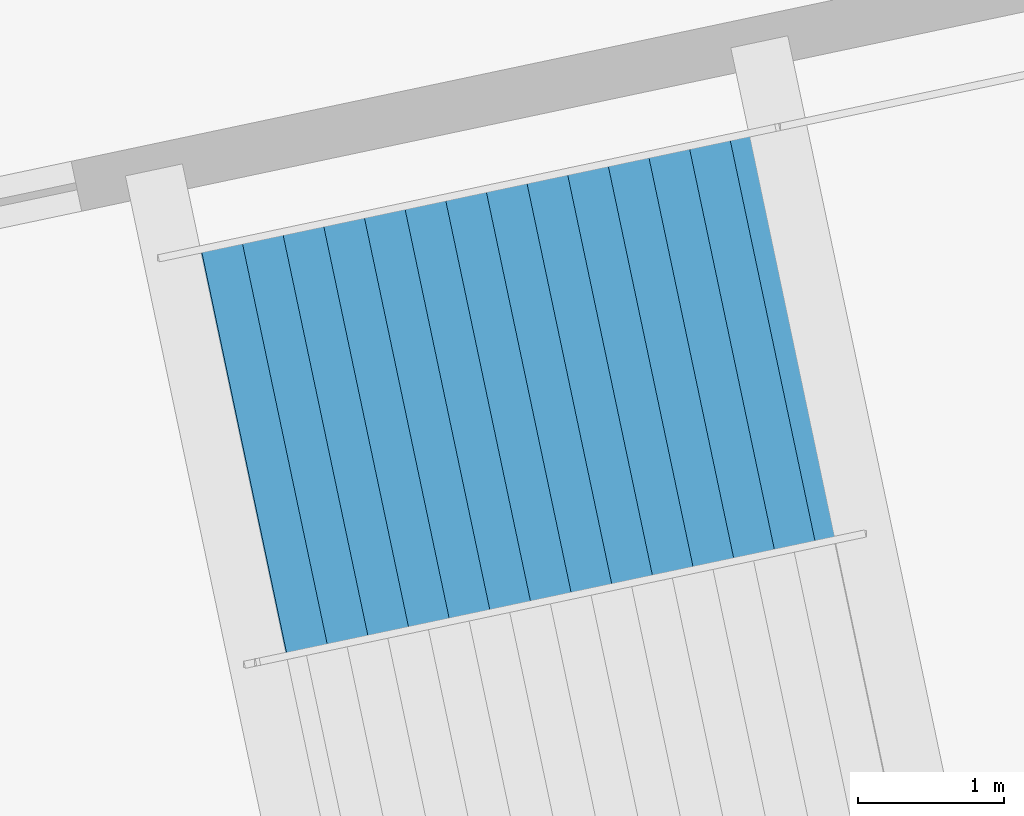
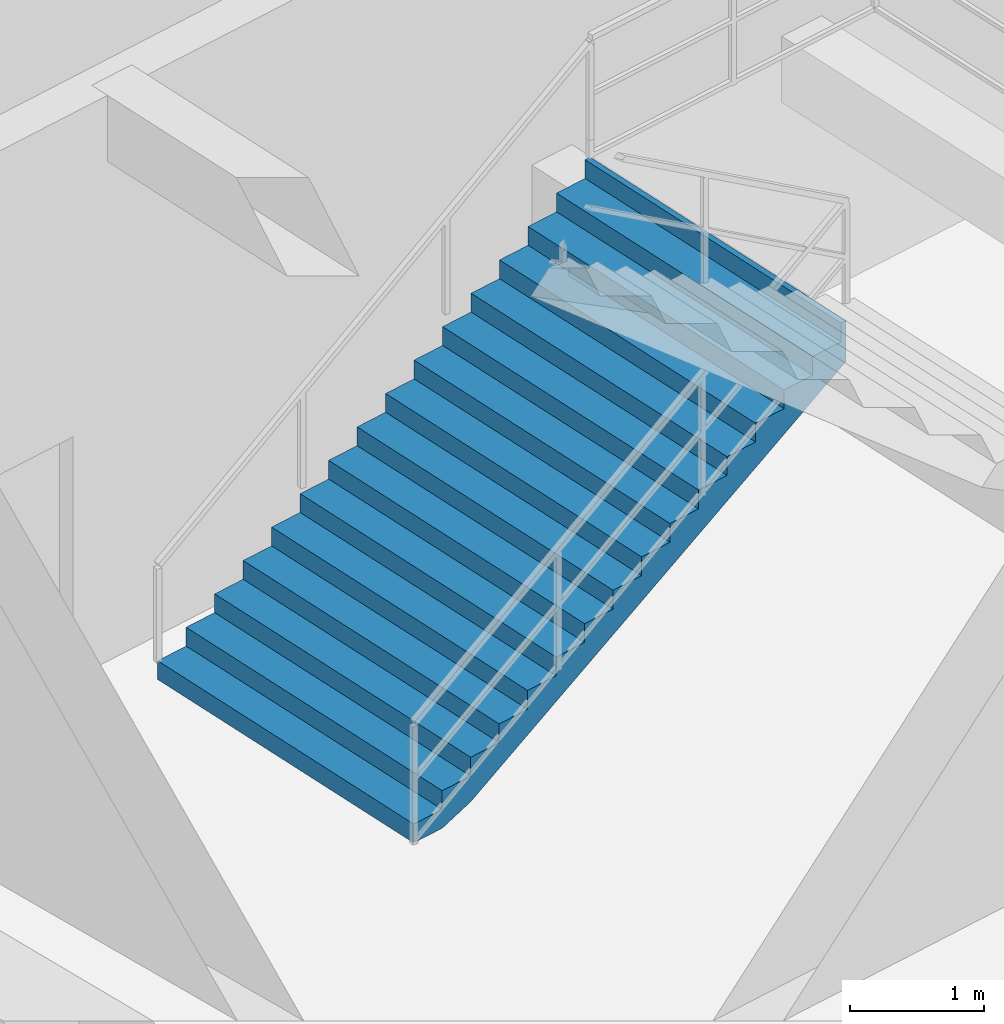
# One storey, part 26 of 49: 1 stair flight, 1 element without a shape of its own.
"""IFC4 building model written with IfcOpenShell, lengths in metres."""

from ifc_helpers import new_model, si_unit, direction, frame, origin, place, context, subcontext, project, spatial, polygons, material, type_object, element, aggregate, save


model = new_model("IFC4")

# Units and contexts
model_context = context("Model", 3, precision=1e-05, world=origin(), true_north=direction((0.0, 1.0)))
body_context = subcontext(model_context, "Body", "Model", "MODEL_VIEW")
ifc_project = project(units=[si_unit("LENGTHUNIT", "METRE"), si_unit("AREAUNIT", "SQUARE_METRE"), si_unit("VOLUMEUNIT", "CUBIC_METRE"), si_unit("PLANEANGLEUNIT", "RADIAN"), si_unit("MASSUNIT", "GRAM", prefix="KILO")], contexts=[model_context])

# Site, building, storey
site_placement = place(None, origin())
site = spatial("IfcSite", under=ifc_project, at=site_placement, CompositionType="ELEMENT")
building_placement = place(site_placement, origin())
building = spatial("IfcBuilding", under=site, at=building_placement, Name="Kazemori Nagisa Stadium", CompositionType="ELEMENT")
storey_placement = place(building_placement, frame((0.0, 0.0, -5.43994140625)))
storey = spatial("IfcBuildingStorey", under=building, at=storey_placement, Name="B1", CompositionType="ELEMENT", Elevation=-5.43994140625)

# Stair, stair flight
ifc_material = material(Name="Concrete C36/45 (Fc36)", Category="concrete")
stair_type = type_object("IfcStairType", Name="Stair_CORE_32", PredefinedType="TWO_STRAIGHT_RUN_STAIR", material=ifc_material)
stair_placement = place(storey_placement, origin())
stair = element("IfcStair", 1, at=stair_placement, inside=storey, type_object=stair_type, Name="Exit stair ST06 B1", PredefinedType="TWO_STRAIGHT_RUN_STAIR")
stair_flight_type = type_object("IfcStairFlightType", Name="Flight_CORE_16", PredefinedType="STRAIGHT", material=ifc_material)
stair_flight_placement = place(storey_placement, frame((145.99365234375, 24.9423828125, 0.0), z_axis=(0.0, 0.0, 1.0), x_axis=(0.978336581214, 0.207020612159, 0.0)))
stair_flight = element("IfcStairFlight", 2, at=stair_flight_placement, type_object=stair_flight_type, Name="Exit stair ST06 B1 flight 1", NumberOfRisers=16, NumberOfTreads=15, PredefinedType="STRAIGHT", RiserHeight=0.17, TreadLength=0.285, context=body_context, shape_type="Tessellation", body=[
    polygons([(0.0, -1.425048828125, 0.0), (0.0, -1.425048828125, 0.169921875), (0.284912109375, -1.425048828125, 0.169921875), (0.284912109375, -1.425048828125, 0.340087890625), (0.570068359375, -1.425048828125, 0.340087890625), (0.570068359375, -1.425048828125, 0.510009765625), (0.85498046875, -1.425048828125, 0.510009765625), (0.85498046875, -1.425048828125, 0.679931640625), (1.139892578125, -1.425048828125, 0.679931640625), (1.139892578125, -1.425048828125, 0.85009765625), (1.425048828125, -1.425048828125, 0.85009765625), (1.425048828125, -1.425048828125, 1.02001953125), (1.7099609375, -1.425048828125, 1.02001953125), (1.7099609375, -1.425048828125, 1.18994140625), (1.9951171875, -1.425048828125, 1.18994140625), (1.9951171875, -1.425048828125, 1.360107421875), (2.280029296875, -1.425048828125, 1.360107421875), (2.280029296875, -1.425048828125, 1.530029296875), (2.56494140625, -1.425048828125, 1.530029296875), (2.56494140625, -1.425048828125, 1.699951171875), (2.85009765625, -1.425048828125, 1.699951171875), (2.85009765625, -1.425048828125, 1.8701171875), (3.135009765625, -1.425048828125, 1.8701171875), (3.135009765625, -1.425048828125, 2.0400390625), (3.419921875, -1.425048828125, 2.0400390625), (3.419921875, -1.425048828125, 2.2099609375), (3.705078125, -1.425048828125, 2.2099609375), (3.705078125, -1.425048828125, 2.3798828125), (3.989990234375, -1.425048828125, 2.3798828125), (3.989990234375, -1.425048828125, 2.550048828125), (4.27490234375, -1.425048828125, 2.550048828125), (4.27490234375, -1.425048828125, 2.719970703125), (4.324951171875, -1.425048828125, 2.719970703125), (4.324951171875, -1.425048828125, 2.346923828125), (4.27490234375, -1.425048828125, 2.317138671875), (3.989990234375, -1.425048828125, 2.147216796875), (3.705078125, -1.425048828125, 1.977294921875), (3.419921875, -1.425048828125, 1.80712890625), (3.135009765625, -1.425048828125, 1.63720703125), (2.85009765625, -1.425048828125, 1.46728515625), (2.56494140625, -1.425048828125, 1.297119140625), (2.280029296875, -1.425048828125, 1.127197265625), (1.9951171875, -1.425048828125, 0.957275390625), (1.7099609375, -1.425048828125, 0.787109375), (1.425048828125, -1.425048828125, 0.6171875), (1.139892578125, -1.425048828125, 0.447265625), (0.85498046875, -1.425048828125, 0.277099609375), (0.570068359375, -1.425048828125, 0.107177734375), (0.284912109375, -1.425048828125, 0.0), (0.0, -0.08544921875, 0.0), (0.0, -0.08544921875, 0.169921875), (0.284912109375, -0.08544921875, 0.169921875), (0.284912109375, -0.08544921875, 0.340087890625), (0.570068359375, -0.08544921875, 0.340087890625), (0.570068359375, -0.08544921875, 0.510009765625), (0.85498046875, -0.08544921875, 0.510009765625), (0.85498046875, -0.08544921875, 0.679931640625), (1.139892578125, -0.08544921875, 0.679931640625), (1.139892578125, -0.08544921875, 0.85009765625), (1.425048828125, -0.08544921875, 0.85009765625), (1.425048828125, -0.08544921875, 1.02001953125), (1.7099609375, -0.08544921875, 1.02001953125), (1.7099609375, -0.08544921875, 1.18994140625), (1.9951171875, -0.08544921875, 1.18994140625), (1.9951171875, -0.08544921875, 1.360107421875), (2.280029296875, -0.08544921875, 1.360107421875), (2.280029296875, -0.08544921875, 1.530029296875), (2.56494140625, -0.08544921875, 1.530029296875), (2.56494140625, -0.08544921875, 1.699951171875), (2.85009765625, -0.08544921875, 1.699951171875), (2.85009765625, -0.08544921875, 1.8701171875), (3.135009765625, -0.08544921875, 1.8701171875), (3.135009765625, -0.08544921875, 2.0400390625), (3.419921875, -0.08544921875, 2.0400390625), (3.419921875, -0.08544921875, 2.2099609375), (3.705078125, -0.08544921875, 2.2099609375), (3.705078125, -0.08544921875, 2.3798828125), (3.989990234375, -0.08544921875, 2.3798828125), (3.989990234375, -0.08544921875, 2.550048828125), (4.27490234375, -0.08544921875, 2.550048828125), (4.27490234375, -0.08544921875, 2.719970703125), (4.324951171875, -0.08544921875, 2.719970703125), (4.324951171875, -0.08544921875, 2.346923828125), (4.27490234375, -0.08544921875, 2.317138671875), (3.989990234375, -0.08544921875, 2.147216796875), (3.705078125, -0.08544921875, 1.977294921875), (3.419921875, -0.08544921875, 1.80712890625), (3.135009765625, -0.08544921875, 1.63720703125), (2.85009765625, -0.08544921875, 1.46728515625), (2.56494140625, -0.08544921875, 1.297119140625), (2.280029296875, -0.08544921875, 1.127197265625), (1.9951171875, -0.08544921875, 0.957275390625), (1.7099609375, -0.08544921875, 0.787109375), (1.425048828125, -0.08544921875, 0.6171875), (1.139892578125, -0.08544921875, 0.447265625), (0.85498046875, -0.08544921875, 0.277099609375), (0.570068359375, -0.08544921875, 0.107177734375), (0.284912109375, -0.08544921875, 0.0), (0.0, 0.0, 0.0), (0.0, 0.0, 0.169921875), (0.284912109375, 0.0, 0.169921875), (0.284912109375, 0.0, 0.340087890625), (0.570068359375, 0.0, 0.340087890625), (0.570068359375, 0.0, 0.510009765625), (0.85498046875, 0.0, 0.510009765625), (0.85498046875, 0.0, 0.679931640625), (1.139892578125, 0.0, 0.679931640625), (1.139892578125, 0.0, 0.85009765625), (1.425048828125, 0.0, 0.85009765625), (1.425048828125, 0.0, 1.02001953125), (1.7099609375, 0.0, 1.02001953125), (1.7099609375, 0.0, 1.18994140625), (1.9951171875, 0.0, 1.18994140625), (1.9951171875, 0.0, 1.360107421875), (2.280029296875, 0.0, 1.360107421875), (2.280029296875, 0.0, 1.530029296875), (2.56494140625, 0.0, 1.530029296875), (2.56494140625, 0.0, 1.699951171875), (2.85009765625, 0.0, 1.699951171875), (2.85009765625, 0.0, 1.8701171875), (3.135009765625, 0.0, 1.8701171875), (3.135009765625, 0.0, 2.0400390625), (3.419921875, 0.0, 2.0400390625), (3.419921875, 0.0, 2.2099609375), (3.705078125, 0.0, 2.2099609375), (3.705078125, 0.0, 2.3798828125), (3.989990234375, 0.0, 2.3798828125), (3.989990234375, 0.0, 2.550048828125), (4.27490234375, 0.0, 2.550048828125), (4.27490234375, 0.0, 2.719970703125), (4.324951171875, 0.0, 2.719970703125), (4.324951171875, 0.0, 2.346923828125), (4.27490234375, 0.0, 2.317138671875), (3.989990234375, 0.0, 2.147216796875), (3.705078125, 0.0, 1.977294921875), (3.419921875, 0.0, 1.80712890625), (3.135009765625, 0.0, 1.63720703125), (2.85009765625, 0.0, 1.46728515625), (2.56494140625, 0.0, 1.297119140625), (2.280029296875, 0.0, 1.127197265625), (1.9951171875, 0.0, 0.957275390625), (1.7099609375, 0.0, 0.787109375), (1.425048828125, 0.0, 0.6171875), (1.139892578125, 0.0, 0.447265625), (0.85498046875, 0.0, 0.277099609375), (0.570068359375, 0.0, 0.107177734375), (0.284912109375, 0.0, 0.0), (0.0, 0.08544921875, 0.0), (0.0, 0.08544921875, 0.169921875), (0.284912109375, 0.08544921875, 0.169921875), (0.284912109375, 0.08544921875, 0.340087890625), (0.570068359375, 0.08544921875, 0.340087890625), (0.570068359375, 0.08544921875, 0.510009765625), (0.85498046875, 0.08544921875, 0.510009765625), (0.85498046875, 0.08544921875, 0.679931640625), (1.139892578125, 0.08544921875, 0.679931640625), (1.139892578125, 0.08544921875, 0.85009765625), (1.425048828125, 0.08544921875, 0.85009765625), (1.425048828125, 0.08544921875, 1.02001953125), (1.7099609375, 0.08544921875, 1.02001953125), (1.7099609375, 0.08544921875, 1.18994140625), (1.9951171875, 0.08544921875, 1.18994140625), (1.9951171875, 0.08544921875, 1.360107421875), (2.280029296875, 0.08544921875, 1.360107421875), (2.280029296875, 0.08544921875, 1.530029296875), (2.56494140625, 0.08544921875, 1.530029296875), (2.56494140625, 0.08544921875, 1.699951171875), (2.85009765625, 0.08544921875, 1.699951171875), (2.85009765625, 0.08544921875, 1.8701171875), (3.135009765625, 0.08544921875, 1.8701171875), (3.135009765625, 0.08544921875, 2.0400390625), (3.419921875, 0.08544921875, 2.0400390625), (3.419921875, 0.08544921875, 2.2099609375), (3.705078125, 0.08544921875, 2.2099609375), (3.705078125, 0.08544921875, 2.3798828125), (3.989990234375, 0.08544921875, 2.3798828125), (3.989990234375, 0.08544921875, 2.550048828125), (4.27490234375, 0.08544921875, 2.550048828125), (4.27490234375, 0.08544921875, 2.719970703125), (4.324951171875, 0.08544921875, 2.719970703125), (4.324951171875, 0.08544921875, 2.346923828125), (4.27490234375, 0.08544921875, 2.317138671875), (3.989990234375, 0.08544921875, 2.147216796875), (3.705078125, 0.08544921875, 1.977294921875), (3.419921875, 0.08544921875, 1.80712890625), (3.135009765625, 0.08544921875, 1.63720703125), (2.85009765625, 0.08544921875, 1.46728515625), (2.56494140625, 0.08544921875, 1.297119140625), (2.280029296875, 0.08544921875, 1.127197265625), (1.9951171875, 0.08544921875, 0.957275390625), (1.7099609375, 0.08544921875, 0.787109375), (1.425048828125, 0.08544921875, 0.6171875), (1.139892578125, 0.08544921875, 0.447265625), (0.85498046875, 0.08544921875, 0.277099609375), (0.570068359375, 0.08544921875, 0.107177734375), (0.284912109375, 0.08544921875, 0.0), (0.0, 1.425048828125, 0.0), (0.0, 1.425048828125, 0.169921875), (0.284912109375, 1.425048828125, 0.169921875), (0.284912109375, 1.425048828125, 0.340087890625), (0.570068359375, 1.425048828125, 0.340087890625), (0.570068359375, 1.425048828125, 0.510009765625), (0.85498046875, 1.425048828125, 0.510009765625), (0.85498046875, 1.425048828125, 0.679931640625), (1.139892578125, 1.425048828125, 0.679931640625), (1.139892578125, 1.425048828125, 0.85009765625), (1.425048828125, 1.425048828125, 0.85009765625), (1.425048828125, 1.425048828125, 1.02001953125), (1.7099609375, 1.425048828125, 1.02001953125), (1.7099609375, 1.425048828125, 1.18994140625), (1.9951171875, 1.425048828125, 1.18994140625), (1.9951171875, 1.425048828125, 1.360107421875), (2.280029296875, 1.425048828125, 1.360107421875), (2.280029296875, 1.425048828125, 1.530029296875), (2.56494140625, 1.425048828125, 1.530029296875), (2.56494140625, 1.425048828125, 1.699951171875), (2.85009765625, 1.425048828125, 1.699951171875), (2.85009765625, 1.425048828125, 1.8701171875), (3.135009765625, 1.425048828125, 1.8701171875), (3.135009765625, 1.425048828125, 2.0400390625), (3.419921875, 1.425048828125, 2.0400390625), (3.419921875, 1.425048828125, 2.2099609375), (3.705078125, 1.425048828125, 2.2099609375), (3.705078125, 1.425048828125, 2.3798828125), (3.989990234375, 1.425048828125, 2.3798828125), (3.989990234375, 1.425048828125, 2.550048828125), (4.27490234375, 1.425048828125, 2.550048828125), (4.27490234375, 1.425048828125, 2.719970703125), (4.324951171875, 1.425048828125, 2.719970703125), (4.324951171875, 1.425048828125, 2.346923828125), (4.27490234375, 1.425048828125, 2.317138671875), (3.989990234375, 1.425048828125, 2.147216796875), (3.705078125, 1.425048828125, 1.977294921875), (3.419921875, 1.425048828125, 1.80712890625), (3.135009765625, 1.425048828125, 1.63720703125), (2.85009765625, 1.425048828125, 1.46728515625), (2.56494140625, 1.425048828125, 1.297119140625), (2.280029296875, 1.425048828125, 1.127197265625), (1.9951171875, 1.425048828125, 0.957275390625), (1.7099609375, 1.425048828125, 0.787109375), (1.425048828125, 1.425048828125, 0.6171875), (1.139892578125, 1.425048828125, 0.447265625), (0.85498046875, 1.425048828125, 0.277099609375), (0.570068359375, 1.425048828125, 0.107177734375), (0.284912109375, 1.425048828125, 0.0)], [[[1, 2, 51]], [[1, 51, 50]], [[2, 3, 52]], [[2, 52, 51]], [[3, 4, 53]], [[3, 53, 52]], [[4, 5, 54]], [[4, 54, 53]], [[5, 6, 55]], [[5, 55, 54]], [[6, 7, 56]], [[6, 56, 55]], [[7, 8, 57]], [[7, 57, 56]], [[8, 9, 58]], [[8, 58, 57]], [[9, 10, 59]], [[9, 59, 58]], [[10, 11, 60]], [[10, 60, 59]], [[11, 12, 61]], [[11, 61, 60]], [[12, 13, 62]], [[12, 62, 61]], [[13, 14, 63]], [[13, 63, 62]], [[14, 15, 64]], [[14, 64, 63]], [[15, 16, 65]], [[15, 65, 64]], [[16, 17, 66]], [[16, 66, 65]], [[17, 18, 67]], [[17, 67, 66]], [[18, 19, 68]], [[18, 68, 67]], [[19, 20, 69]], [[19, 69, 68]], [[20, 21, 70]], [[20, 70, 69]], [[21, 22, 71]], [[21, 71, 70]], [[22, 23, 72]], [[22, 72, 71]], [[23, 24, 73]], [[23, 73, 72]], [[24, 25, 74]], [[24, 74, 73]], [[25, 26, 75]], [[25, 75, 74]], [[26, 27, 76]], [[26, 76, 75]], [[27, 28, 77]], [[27, 77, 76]], [[28, 29, 78]], [[28, 78, 77]], [[29, 30, 79]], [[29, 79, 78]], [[30, 31, 80]], [[30, 80, 79]], [[31, 32, 81]], [[31, 81, 80]], [[32, 33, 82]], [[32, 82, 81]], [[33, 34, 83]], [[33, 83, 82]], [[34, 35, 84]], [[34, 84, 83]], [[35, 36, 85]], [[35, 85, 84]], [[36, 37, 86]], [[36, 86, 85]], [[37, 38, 87]], [[37, 87, 86]], [[38, 39, 88]], [[38, 88, 87]], [[39, 40, 89]], [[39, 89, 88]], [[40, 41, 90]], [[40, 90, 89]], [[41, 42, 91]], [[41, 91, 90]], [[42, 43, 92]], [[42, 92, 91]], [[43, 44, 93]], [[43, 93, 92]], [[44, 45, 94]], [[44, 94, 93]], [[45, 46, 95]], [[45, 95, 94]], [[46, 47, 96]], [[46, 96, 95]], [[47, 48, 97]], [[47, 97, 96]], [[48, 49, 98]], [[48, 98, 97]], [[49, 1, 50]], [[49, 50, 98]], [[50, 51, 100]], [[50, 100, 99]], [[51, 52, 101]], [[51, 101, 100]], [[52, 53, 102]], [[52, 102, 101]], [[53, 54, 103]], [[53, 103, 102]], [[54, 55, 104]], [[54, 104, 103]], [[55, 56, 105]], [[55, 105, 104]], [[56, 57, 106]], [[56, 106, 105]], [[57, 58, 107]], [[57, 107, 106]], [[58, 59, 108]], [[58, 108, 107]], [[59, 60, 109]], [[59, 109, 108]], [[60, 61, 110]], [[60, 110, 109]], [[61, 62, 111]], [[61, 111, 110]], [[62, 63, 112]], [[62, 112, 111]], [[63, 64, 113]], [[63, 113, 112]], [[64, 65, 114]], [[64, 114, 113]], [[65, 66, 115]], [[65, 115, 114]], [[66, 67, 116]], [[66, 116, 115]], [[67, 68, 117]], [[67, 117, 116]], [[68, 69, 118]], [[68, 118, 117]], [[69, 70, 119]], [[69, 119, 118]], [[70, 71, 120]], [[70, 120, 119]], [[71, 72, 121]], [[71, 121, 120]], [[72, 73, 122]], [[72, 122, 121]], [[73, 74, 123]], [[73, 123, 122]], [[74, 75, 124]], [[74, 124, 123]], [[75, 76, 125]], [[75, 125, 124]], [[76, 77, 126]], [[76, 126, 125]], [[77, 78, 127]], [[77, 127, 126]], [[78, 79, 128]], [[78, 128, 127]], [[79, 80, 129]], [[79, 129, 128]], [[80, 81, 130]], [[80, 130, 129]], [[81, 82, 131]], [[81, 131, 130]], [[82, 83, 132]], [[82, 132, 131]], [[83, 84, 133]], [[83, 133, 132]], [[84, 85, 134]], [[84, 134, 133]], [[85, 86, 135]], [[85, 135, 134]], [[86, 87, 136]], [[86, 136, 135]], [[87, 88, 137]], [[87, 137, 136]], [[88, 89, 138]], [[88, 138, 137]], [[89, 90, 139]], [[89, 139, 138]], [[90, 91, 140]], [[90, 140, 139]], [[91, 92, 141]], [[91, 141, 140]], [[92, 93, 142]], [[92, 142, 141]], [[93, 94, 143]], [[93, 143, 142]], [[94, 95, 144]], [[94, 144, 143]], [[95, 96, 145]], [[95, 145, 144]], [[96, 97, 146]], [[96, 146, 145]], [[97, 98, 147]], [[97, 147, 146]], [[98, 50, 99]], [[98, 99, 147]], [[99, 100, 149]], [[99, 149, 148]], [[100, 101, 150]], [[100, 150, 149]], [[101, 102, 151]], [[101, 151, 150]], [[102, 103, 152]], [[102, 152, 151]], [[103, 104, 153]], [[103, 153, 152]], [[104, 105, 154]], [[104, 154, 153]], [[105, 106, 155]], [[105, 155, 154]], [[106, 107, 156]], [[106, 156, 155]], [[107, 108, 157]], [[107, 157, 156]], [[108, 109, 158]], [[108, 158, 157]], [[109, 110, 159]], [[109, 159, 158]], [[110, 111, 160]], [[110, 160, 159]], [[111, 112, 161]], [[111, 161, 160]], [[112, 113, 162]], [[112, 162, 161]], [[113, 114, 163]], [[113, 163, 162]], [[114, 115, 164]], [[114, 164, 163]], [[115, 116, 165]], [[115, 165, 164]], [[116, 117, 166]], [[116, 166, 165]], [[117, 118, 167]], [[117, 167, 166]], [[118, 119, 168]], [[118, 168, 167]], [[119, 120, 169]], [[119, 169, 168]], [[120, 121, 170]], [[120, 170, 169]], [[121, 122, 171]], [[121, 171, 170]], [[122, 123, 172]], [[122, 172, 171]], [[123, 124, 173]], [[123, 173, 172]], [[124, 125, 174]], [[124, 174, 173]], [[125, 126, 175]], [[125, 175, 174]], [[126, 127, 176]], [[126, 176, 175]], [[127, 128, 177]], [[127, 177, 176]], [[128, 129, 178]], [[128, 178, 177]], [[129, 130, 179]], [[129, 179, 178]], [[130, 131, 180]], [[130, 180, 179]], [[131, 132, 181]], [[131, 181, 180]], [[132, 133, 182]], [[132, 182, 181]], [[133, 134, 183]], [[133, 183, 182]], [[134, 135, 184]], [[134, 184, 183]], [[135, 136, 185]], [[135, 185, 184]], [[136, 137, 186]], [[136, 186, 185]], [[137, 138, 187]], [[137, 187, 186]], [[138, 139, 188]], [[138, 188, 187]], [[139, 140, 189]], [[139, 189, 188]], [[140, 141, 190]], [[140, 190, 189]], [[141, 142, 191]], [[141, 191, 190]], [[142, 143, 192]], [[142, 192, 191]], [[143, 144, 193]], [[143, 193, 192]], [[144, 145, 194]], [[144, 194, 193]], [[145, 146, 195]], [[145, 195, 194]], [[146, 147, 196]], [[146, 196, 195]], [[147, 99, 148]], [[147, 148, 196]], [[148, 149, 198]], [[148, 198, 197]], [[149, 150, 199]], [[149, 199, 198]], [[150, 151, 200]], [[150, 200, 199]], [[151, 152, 201]], [[151, 201, 200]], [[152, 153, 202]], [[152, 202, 201]], [[153, 154, 203]], [[153, 203, 202]], [[154, 155, 204]], [[154, 204, 203]], [[155, 156, 205]], [[155, 205, 204]], [[156, 157, 206]], [[156, 206, 205]], [[157, 158, 207]], [[157, 207, 206]], [[158, 159, 208]], [[158, 208, 207]], [[159, 160, 209]], [[159, 209, 208]], [[160, 161, 210]], [[160, 210, 209]], [[161, 162, 211]], [[161, 211, 210]], [[162, 163, 212]], [[162, 212, 211]], [[163, 164, 213]], [[163, 213, 212]], [[164, 165, 214]], [[164, 214, 213]], [[165, 166, 215]], [[165, 215, 214]], [[166, 167, 216]], [[166, 216, 215]], [[167, 168, 217]], [[167, 217, 216]], [[168, 169, 218]], [[168, 218, 217]], [[169, 170, 219]], [[169, 219, 218]], [[170, 171, 220]], [[170, 220, 219]], [[171, 172, 221]], [[171, 221, 220]], [[172, 173, 222]], [[172, 222, 221]], [[173, 174, 223]], [[173, 223, 222]], [[174, 175, 224]], [[174, 224, 223]], [[175, 176, 225]], [[175, 225, 224]], [[176, 177, 226]], [[176, 226, 225]], [[177, 178, 227]], [[177, 227, 226]], [[178, 179, 228]], [[178, 228, 227]], [[179, 180, 229]], [[179, 229, 228]], [[180, 181, 230]], [[180, 230, 229]], [[181, 182, 231]], [[181, 231, 230]], [[182, 183, 232]], [[182, 232, 231]], [[183, 184, 233]], [[183, 233, 232]], [[184, 185, 234]], [[184, 234, 233]], [[185, 186, 235]], [[185, 235, 234]], [[186, 187, 236]], [[186, 236, 235]], [[187, 188, 237]], [[187, 237, 236]], [[188, 189, 238]], [[188, 238, 237]], [[189, 190, 239]], [[189, 239, 238]], [[190, 191, 240]], [[190, 240, 239]], [[191, 192, 241]], [[191, 241, 240]], [[192, 193, 242]], [[192, 242, 241]], [[193, 194, 243]], [[193, 243, 242]], [[194, 195, 244]], [[194, 244, 243]], [[195, 196, 245]], [[195, 245, 244]], [[196, 148, 197]], [[196, 197, 245]], [[3, 2, 1]], [[197, 198, 199]], [[49, 3, 1]], [[197, 199, 245]], [[48, 3, 49]], [[245, 199, 244]], [[5, 3, 48]], [[244, 199, 201]], [[5, 4, 3]], [[199, 200, 201]], [[47, 5, 48]], [[244, 201, 243]], [[7, 5, 47]], [[243, 201, 203]], [[7, 6, 5]], [[201, 202, 203]], [[46, 7, 47]], [[243, 203, 242]], [[9, 7, 46]], [[242, 203, 205]], [[9, 8, 7]], [[203, 204, 205]], [[45, 9, 46]], [[242, 205, 241]], [[11, 9, 45]], [[241, 205, 207]], [[11, 10, 9]], [[205, 206, 207]], [[44, 11, 45]], [[241, 207, 240]], [[13, 11, 44]], [[240, 207, 209]], [[13, 12, 11]], [[207, 208, 209]], [[43, 13, 44]], [[240, 209, 239]], [[15, 13, 43]], [[239, 209, 211]], [[15, 14, 13]], [[209, 210, 211]], [[42, 15, 43]], [[239, 211, 238]], [[17, 15, 42]], [[238, 211, 213]], [[17, 16, 15]], [[211, 212, 213]], [[41, 17, 42]], [[238, 213, 237]], [[19, 17, 41]], [[237, 213, 215]], [[19, 18, 17]], [[213, 214, 215]], [[40, 19, 41]], [[237, 215, 236]], [[21, 19, 40]], [[236, 215, 217]], [[21, 20, 19]], [[215, 216, 217]], [[39, 21, 40]], [[236, 217, 235]], [[23, 21, 39]], [[235, 217, 219]], [[23, 22, 21]], [[217, 218, 219]], [[38, 23, 39]], [[235, 219, 234]], [[25, 23, 38]], [[234, 219, 221]], [[25, 24, 23]], [[219, 220, 221]], [[37, 25, 38]], [[234, 221, 233]], [[27, 25, 37]], [[233, 221, 223]], [[27, 26, 25]], [[221, 222, 223]], [[36, 27, 37]], [[233, 223, 232]], [[29, 27, 36]], [[232, 223, 225]], [[29, 28, 27]], [[223, 224, 225]], [[35, 29, 36]], [[232, 225, 231]], [[31, 29, 35]], [[231, 225, 227]], [[31, 30, 29]], [[225, 226, 227]], [[34, 31, 35]], [[231, 227, 230]], [[33, 31, 34]], [[230, 227, 229]], [[33, 32, 31]], [[227, 228, 229]]], closed=True),
])
aggregate(stair, [stair_flight])

save(model, "model.ifc")
